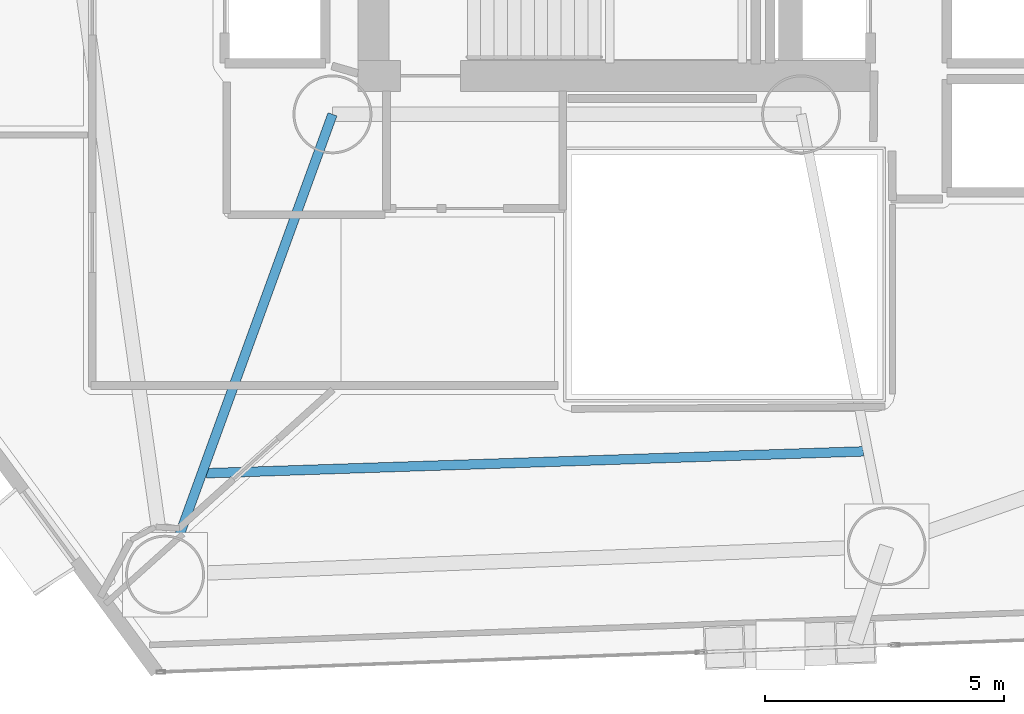
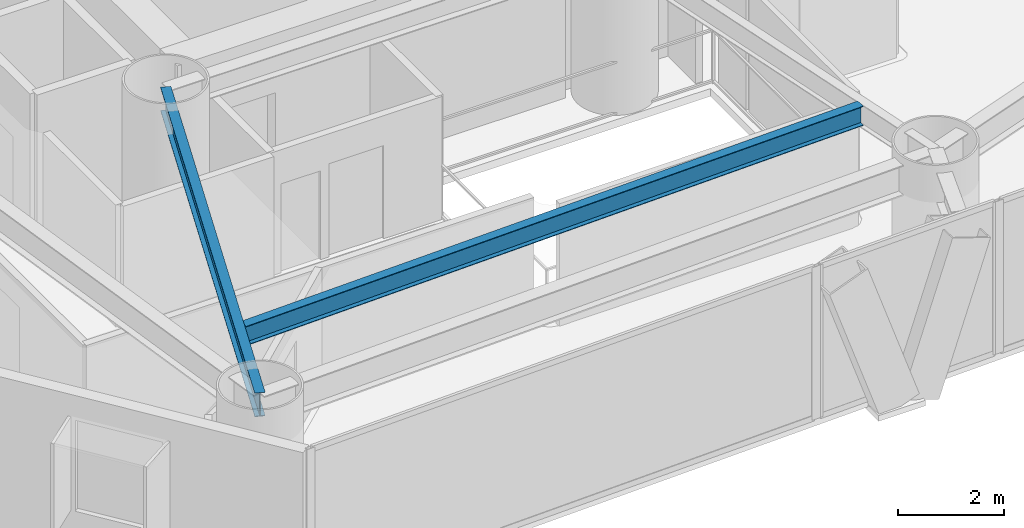
# One storey, part 3 of 23: 2 beams.
"""IFC4 building model written with IfcOpenShell, lengths in metres."""

from ifc_helpers import new_model, si_unit, direction, frame, origin, origin_2d, place, context, subcontext, project, spatial, i_section, extrude, material, material_profile, profile_set, type_object, element, save


model = new_model("IFC4")

# Units and contexts
model_context = context("Model", 3, precision=1e-05, world=origin(), true_north=direction((0.0, 1.0)))
body_context = subcontext(model_context, "Body", "Model", "MODEL_VIEW")
ifc_project = project(units=[si_unit("LENGTHUNIT", "METRE"), si_unit("AREAUNIT", "SQUARE_METRE"), si_unit("VOLUMEUNIT", "CUBIC_METRE"), si_unit("PLANEANGLEUNIT", "RADIAN"), si_unit("MASSUNIT", "GRAM", prefix="KILO")], contexts=[model_context])

# Site, building, storey
site_placement = place(None, origin())
site = spatial("IfcSite", under=ifc_project, at=site_placement, CompositionType="ELEMENT")
building_placement = place(site_placement, origin())
building = spatial("IfcBuilding", under=site, at=building_placement, Name="Qianvela Tower", CompositionType="ELEMENT")
storey_placement = place(building_placement, frame((0.0, 0.0, 52.5)))
storey = spatial("IfcBuildingStorey", under=building, at=storey_placement, Name="L12", CompositionType="ELEMENT", Elevation=52.5)

# Beams
ifc_material_1 = material(Name="Steel Q355B", Category="steel")
ifc_material_profile_1 = material_profile(ifc_material_1, i_section(OverallWidth=0.199951171875, OverallDepth=0.449951171875, WebThickness=0.009033203125, FlangeThickness=0.013916015625, at=origin_2d()), Name="HN450x200x9x14")
ifc_profile_set_1 = profile_set([ifc_material_profile_1], Name="Steel Q355B")
beam_type_1 = type_object("IfcBeamType", Name="BM-HN450-JOIST", PredefinedType="JOIST", material=ifc_profile_set_1)
beam_1_placement = place(storey_placement, frame((25.9658203125, 16.345703125, 3.29296875), z_axis=(0.999447329793, 0.033242066273, 0.0), x_axis=(-0.033242066273, 0.999447329793, 0.0)))
element("IfcBeam", 1, at=beam_1_placement, inside=storey, type_object=beam_type_1, Name="L12 Secondary Composite Floor Joist 5.3", PredefinedType="JOIST", context=body_context, shape_type="SweptSolid", body=[
    extrude(i_section(OverallWidth=0.199951171875, OverallDepth=0.449951171875, WebThickness=0.009033203125, FlangeThickness=0.013916015625, at=origin_2d()), origin(), (0.0, 0.0, 1.0), 13.7412109375),
])
ifc_material_2 = material(Name="Steel Q355B", Category="steel")
ifc_material_profile_2 = material_profile(ifc_material_2, i_section(OverallWidth=0.199951171875, OverallDepth=0.550048828125, WebThickness=0.010009765625, FlangeThickness=0.01611328125, at=origin_2d()), Name="HN550x200x10x16")
ifc_profile_set_2 = profile_set([ifc_material_profile_2], Name="Steel Q355B")
beam_type_2 = type_object("IfcBeamType", Name="BM-HN550-GIRD", PredefinedType="BEAM", material=ifc_profile_set_2)
beam_2_placement = place(storey_placement, frame((28.60009765625, 23.85009765625, 3.242919921875), z_axis=(-0.341743063087, -0.939793423488, 0.0), x_axis=(0.939793423488, -0.341743063087, 0.0)))
element("IfcBeam", 2, at=beam_2_placement, inside=storey, type_object=beam_type_2, Name="L12 Radial Primary Floor Girder 5", PredefinedType="BEAM", context=body_context, shape_type="SweptSolid", body=[
    extrude(i_section(OverallWidth=0.199951171875, OverallDepth=0.550048828125, WebThickness=0.010009765625, FlangeThickness=0.01611328125, at=origin_2d()), origin(), (0.0, 0.0, 1.0), 10.24169921875),
])

save(model, "model.ifc")
